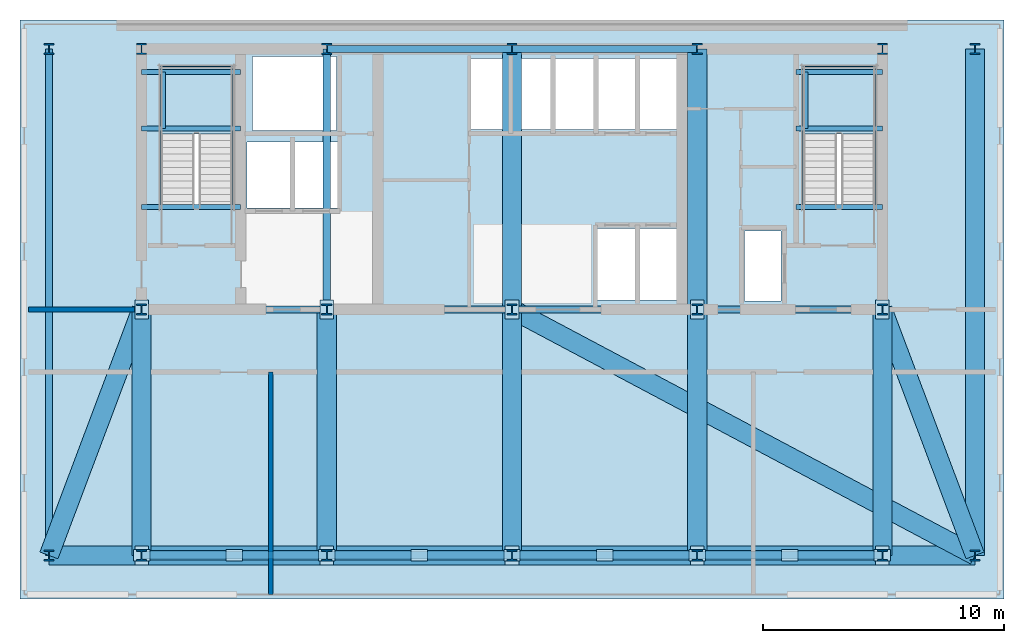
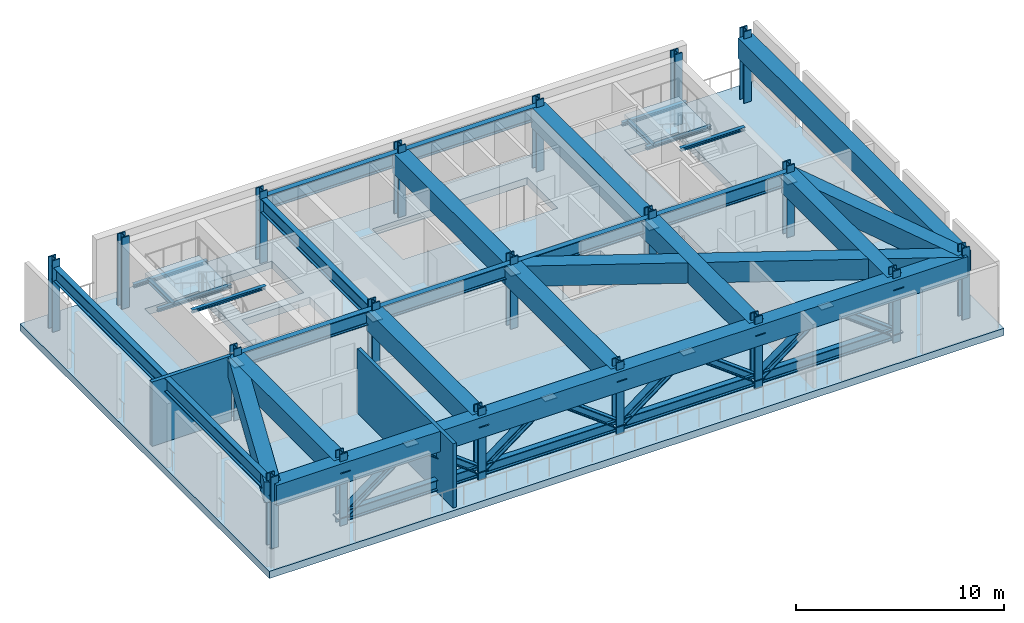
# One storey, part 1 of 8: 28 beams, 19 columns, 19 plates, 12 members, 3 slabs, 2 walls, 2 elements without a shape of their own.
"""IFC4 building model written with IfcOpenShell, lengths in metres."""

import ifcopenshell
import ifcopenshell.guid

model = None  # the IFC model being written
_history = None  # IfcOwnerHistory: only IFC2X3 demands one
_inside = {}  # id of a spatial element -> (the spatial element, [elements in it])
_under = {}  # id of a project, library or spatial element -> (it, [spatial elements below it])
_declared = {}  # id of a project -> (the project, [libraries it declares])
_typed = {}  # id of a type object -> (the type object, [elements of that type])
_made_of = {}  # id of a material, layer set ... -> (it, [elements and type objects made of it])


def new_model(schema):
    """Start an empty IFC model of exactly this schema.

    Asked for "IFC4X3", IfcOpenShell would pick the latest addendum, in which some entities
    have other attributes; the version numbers below select the first issue.
    IFC2X3 requires an IfcOwnerHistory on every rooted entity: one is made here for all.
    """
    global model, _history
    if schema == "IFC4X3":
        model = ifcopenshell.file(schema_version=(4, 3, 0, 0))
    else:
        model = ifcopenshell.file(schema=schema)
    _inside.clear()
    _under.clear()
    _declared.clear()
    _typed.clear()
    _made_of.clear()
    _history = None
    if model.schema == "IFC2X3":
        org = make("IfcOrganization", Name="unknown")
        user = make(
            "IfcPersonAndOrganization",
            ThePerson=make("IfcPerson", FamilyName="unknown"),
            TheOrganization=org,
        )
        app = make(
            "IfcApplication",
            ApplicationDeveloper=org,
            Version="unknown",
            ApplicationFullName="unknown",
            ApplicationIdentifier="unknown",
        )
        _history = make(
            "IfcOwnerHistory",
            OwningUser=user,
            OwningApplication=app,
            ChangeAction="ADDED",
            CreationDate=0,
        )
    return model


def make(cls, **values):
    """One entity of the class cls with the attributes given. An attribute that is None is left unset."""
    return model.create_entity(
        cls, **{name: value for name, value in values.items() if value is not None}
    )


def rooted(cls, **values):
    """An entity with a GlobalId (a new one), such as an element, a storey or a relation."""
    return make(cls, GlobalId=ifcopenshell.guid.new(), OwnerHistory=_history, **values)


def si_unit(unit_type, name, prefix=None):
    """IfcSIUnit, for example si_unit("LENGTHUNIT", "METRE", prefix="MILLI")."""
    return make("IfcSIUnit", UnitType=unit_type, Prefix=prefix, Name=name)


def assignment(units):
    """IfcUnitAssignment: the units of a project."""
    return None if units is None else make("IfcUnitAssignment", Units=units)


def point(xyz):
    """IfcCartesianPoint."""
    return None if xyz is None else make("IfcCartesianPoint", Coordinates=xyz)


def direction(xyz):
    """IfcDirection."""
    return None if xyz is None else make("IfcDirection", DirectionRatios=xyz)


def frame(location, z_axis=None, x_axis=None):
    """IfcAxis2Placement3D, a coordinate frame: its origin and axes. An axis left out is left unset."""
    return make(
        "IfcAxis2Placement3D",
        Location=point(location),
        Axis=direction(z_axis),
        RefDirection=direction(x_axis),
    )


def frame_2d(location, x_axis=None):
    """IfcAxis2Placement2D, a coordinate frame in the plane: its origin and x axis."""
    return make(
        "IfcAxis2Placement2D", Location=point(location), RefDirection=direction(x_axis)
    )


def origin():
    """The frame at (0, 0, 0) with its axes left unset."""
    return frame((0.0, 0.0, 0.0))


def origin_2d():
    """The frame at (0, 0) in the plane with its x axis left unset."""
    return frame_2d((0.0, 0.0))


def place(relative_to, where):
    """IfcLocalPlacement: puts the frame where relative to a parent placement (None: the world)."""
    return make(
        "IfcLocalPlacement", PlacementRelTo=relative_to, RelativePlacement=where
    )


def context(
    kind, dimensions, precision=None, world=None, true_north=None, identifier=None
):
    """IfcGeometricRepresentationContext, for example the 3D "Model" context."""
    return make(
        "IfcGeometricRepresentationContext",
        ContextIdentifier=identifier,
        ContextType=kind,
        CoordinateSpaceDimension=dimensions,
        Precision=precision,
        WorldCoordinateSystem=world,
        TrueNorth=true_north,
    )


def subcontext(parent, identifier, kind, view, scale=None):
    """IfcGeometricRepresentationSubContext, for example "Body" below "Model"."""
    return make(
        "IfcGeometricRepresentationSubContext",
        ContextIdentifier=identifier,
        ContextType=kind,
        ParentContext=parent,
        TargetScale=scale,
        TargetView=view,
    )


def project(units=None, contexts=None):
    """IfcProject with its units and contexts."""
    return rooted(
        "IfcProject",
        Name="project",
        RepresentationContexts=contexts,
        UnitsInContext=assignment(units),
    )


def spatial(cls, under=None, at=None, **own):
    """A site, building, storey or space (cls), placed at a placement, below another one or the project."""
    s = rooted(cls, ObjectPlacement=at, **own)
    if under is not None:
        _under.setdefault(under.id(), (under, []))[1].append(s)
    return s


def polyline(points):
    """IfcPolyline through the points."""
    return make("IfcPolyline", Points=[point(p) for p in points])


def profile(cls, at=None, kind="AREA", **sizes):
    """A parametric profile (cls). Its sizes go by their IFC names, for example OverallWidth=200.0."""
    return make(cls, ProfileType=kind, Position=at, **sizes)


def rectangle(**sizes):
    """IfcRectangleProfileDef."""
    return profile("IfcRectangleProfileDef", **sizes)


def i_section(**sizes):
    """IfcIShapeProfileDef."""
    return profile("IfcIShapeProfileDef", **sizes)


def outline(outer, holes=None, kind="AREA"):
    """IfcArbitraryClosedProfileDef: a profile drawn as a closed curve; with holes, ...WithVoids."""
    if holes is None:
        return make("IfcArbitraryClosedProfileDef", ProfileType=kind, OuterCurve=outer)
    return make(
        "IfcArbitraryProfileDefWithVoids",
        ProfileType=kind,
        OuterCurve=outer,
        InnerCurves=holes,
    )


def extrude(swept, where, along, depth):
    """IfcExtrudedAreaSolid: the profile swept, set in the frame where, extruded along a direction by depth."""
    return make(
        "IfcExtrudedAreaSolid",
        SweptArea=swept,
        Position=where,
        ExtrudedDirection=direction(along),
        Depth=depth,
    )


def shape(context_of_items, identifier, shape_type, items):
    """IfcShapeRepresentation: the items that make up one representation, for example the "Body"."""
    return make(
        "IfcShapeRepresentation",
        ContextOfItems=context_of_items,
        RepresentationIdentifier=identifier,
        RepresentationType=shape_type,
        Items=items,
    )


def material(Name=None, Category=None):
    """IfcMaterial."""
    return make("IfcMaterial", Name=Name, Category=Category)


def layer(
    of_material, thickness, ventilated=None, Name=None, Category=None, Priority=None
):
    """IfcMaterialLayer: one layer of a wall or slab, of a material (None: an air gap)."""
    return make(
        "IfcMaterialLayer",
        Material=of_material,
        LayerThickness=thickness,
        IsVentilated=ventilated,
        Name=Name,
        Category=Category,
        Priority=Priority,
    )


def layer_set(layers, Name=None):
    """IfcMaterialLayerSet."""
    return make("IfcMaterialLayerSet", MaterialLayers=layers, LayerSetName=Name)


def material_profile(
    of_material, cross_section, Name=None, Category=None, Priority=None
):
    """IfcMaterialProfile: a cross section and its material."""
    return make(
        "IfcMaterialProfile",
        Name=Name,
        Material=of_material,
        Profile=cross_section,
        Priority=Priority,
        Category=Category,
    )


def profile_set(profiles, Name=None, composite=None):
    """IfcMaterialProfileSet."""
    return make(
        "IfcMaterialProfileSet",
        Name=Name,
        MaterialProfiles=profiles,
        CompositeProfile=composite,
    )


def made_of(thing, what):
    """Note that an element or type object is made of a material, layer set ...; save() writes the relation."""
    if what is not None:
        _made_of.setdefault(what.id(), (what, []))[1].append(thing)
    return thing


def type_object(cls, material=None, **own):
    """A type object (cls), such as IfcWallType, which elements share."""
    return made_of(rooted(cls, **own), material)


def element(
    cls,
    number,
    at=None,
    inside=None,
    cuts=None,
    type_object=None,
    material=None,
    context=None,
    identifier="Body",
    shape_type=None,
    held_by="IfcProductDefinitionShape",
    body=None,
    shapes=None,
    **own,
):
    """One element of the class cls, such as IfcWall. Its Tag is "e" and its number.

    at: its placement. inside: the storey or other place that contains it. cuts: it is an
    opening in that element (IfcRelVoidsElement). A single representation is given by context,
    identifier, shape_type and body (its items); several are given by shapes. held_by: the class
    of the entity that holds the representations. save() writes the other relations.
    """
    e = rooted(cls, Tag="e%d" % number, ObjectPlacement=at, **own)
    if body is not None:
        shapes = [shape(context, identifier, shape_type, body)]
    if shapes is not None:
        e.Representation = make(held_by, Representations=shapes)
    if inside is not None:
        _inside.setdefault(inside.id(), (inside, []))[1].append(e)
    if cuts is not None:
        rooted(
            "IfcRelVoidsElement", RelatingBuildingElement=cuts, RelatedOpeningElement=e
        )
    if type_object is not None:
        _typed.setdefault(type_object.id(), (type_object, []))[1].append(e)
    return made_of(e, material)


def aggregate(whole, parts):
    """IfcRelAggregates: a whole, such as a stair, and the parts it consists of."""
    return rooted("IfcRelAggregates", RelatingObject=whole, RelatedObjects=parts)


def save(model, path):
    """Write the relations noted so far, then the file.

    IfcRelAggregates (storeys below a building ...), IfcRelContainedInSpatialStructure (elements
    in a storey), IfcRelDefinesByType, IfcRelAssociatesMaterial and IfcRelDeclares: one each for
    every whole, place, type object, material and project.
    """
    for whole, parts in _under.values():
        aggregate(whole, parts)
    for where, things in _inside.values():
        rooted(
            "IfcRelContainedInSpatialStructure",
            RelatedElements=things,
            RelatingStructure=where,
        )
    for kind, things in _typed.values():
        rooted("IfcRelDefinesByType", RelatedObjects=things, RelatingType=kind)
    for what, things in _made_of.values():
        rooted("IfcRelAssociatesMaterial", RelatedObjects=things, RelatingMaterial=what)
    for by, libraries in _declared.values():
        rooted("IfcRelDeclares", RelatingContext=by, RelatedDefinitions=libraries)
    model.write(path)


model = new_model("IFC4")

# Units and contexts
model_context = context("Model", 3, precision=1e-05, world=origin(), true_north=direction((0.0, 1.0)))
body_context = subcontext(model_context, "Body", "Model", "MODEL_VIEW")
ifc_project = project(units=[si_unit("LENGTHUNIT", "METRE"), si_unit("AREAUNIT", "SQUARE_METRE"), si_unit("VOLUMEUNIT", "CUBIC_METRE"), si_unit("PLANEANGLEUNIT", "RADIAN"), si_unit("MASSUNIT", "GRAM", prefix="KILO")], contexts=[model_context])

# Site, building, storey
site_placement = place(None, origin())
site = spatial("IfcSite", under=ifc_project, at=site_placement, CompositionType="ELEMENT")
building_placement = place(site_placement, origin())
building = spatial("IfcBuilding", under=site, at=building_placement, Name="Yelkora Congress Tower", CompositionType="ELEMENT")
storey_placement = place(building_placement, frame((0.0, 0.0, 200.300048828125)))
storey = spatial("IfcBuildingStorey", under=building, at=storey_placement, Name="L55", CompositionType="ELEMENT", Elevation=200.300048828125)

# Columns
ifc_material_1 = material(Name="Steel S460M", Category="steel")
ifc_material_profile_1 = material_profile(ifc_material_1, i_section(OverallWidth=0.41796875, OverallDepth=0.455078125, WebThickness=0.0419921875, FlangeThickness=0.068115234375, FilletRadius=0.014892578125, at=origin_2d()), Name="HD 400x551")
ifc_profile_set_1 = profile_set([ifc_material_profile_1], Name="Steel S460M")
column_type = type_object("IfcColumnType", Name="COL-HD-551", PredefinedType="COLUMN", material=ifc_profile_set_1)
for number, where, z_axis, x_axis, name in (
    (1, (23.0400390625, 35.39990234375, 0.0), (0.0, 0.0, 1.0), (1.0, 0.0, 0.0), "L55 Mega Column MC-S1"),
    (2, (23.0400390625, 46.199951171875, 0.0), (0.0, 0.0, 1.0), (1.0, 0.0, 0.0), "L55 Mega Column MC-N1"),
    (3, (23.0400390625, 25.199951171875, 0.0), (0.0, 0.0, 1.0), (1.0, 0.0, 0.0), "L55 Mega Column MC-D1"),
    (4, (30.719970703125, 35.39990234375, 0.0), (0.0, 0.0, 1.0), (1.0, 0.0, 0.0), "L55 Mega Column MC-S2"),
    (5, (30.719970703125, 46.199951171875, 0.0), (0.0, 0.0, 1.0), (1.0, 0.0, 0.0), "L55 Mega Column MC-N2"),
    (6, (30.719970703125, 25.199951171875, 0.0), (0.0, 0.0, 1.0), (1.0, 0.0, 0.0), "L55 Mega Column MC-D2"),
    (7, (38.39990234375, 35.39990234375, 0.0), (0.0, 0.0, 1.0), (1.0, 0.0, 0.0), "L55 Mega Column MC-S3"),
    (8, (38.39990234375, 46.199951171875, 0.0), (0.0, 0.0, 1.0), (1.0, 0.0, 0.0), "L55 Mega Column MC-N3"),
    (9, (38.39990234375, 25.199951171875, 0.0), (0.0, 0.0, 1.0), (1.0, 0.0, 0.0), "L55 Mega Column MC-D3"),
    (10, (46.080078125, 35.39990234375, 0.0), (0.0, 0.0, 1.0), (1.0, 0.0, 0.0), "L55 Mega Column MC-S4"),
    (11, (46.080078125, 46.199951171875, 0.0), (0.0, 0.0, 1.0), (1.0, 0.0, 0.0), "L55 Mega Column MC-N4"),
    (12, (46.080078125, 25.199951171875, 0.0), (0.0, 0.0, 1.0), (1.0, 0.0, 0.0), "L55 Mega Column MC-D4"),
    (13, (53.760009765625, 35.39990234375, 0.0), (0.0, 0.0, 1.0), (1.0, 0.0, 0.0), "L55 Mega Column MC-S5"),
    (14, (53.760009765625, 46.199951171875, 0.0), (0.0, 0.0, 1.0), (1.0, 0.0, 0.0), "L55 Mega Column MC-N5"),
    (15, (53.760009765625, 25.199951171875, 0.0), (0.0, 0.0, 1.0), (1.0, 0.0, 0.0), "L55 Mega Column MC-D5"),
    (16, (19.199951171875, 25.199951171875, 0.0), (0.0, 0.0, 1.0), (1.0, 0.0, 0.0), "L55 Mega Column MC-F1"),
    (17, (57.60009765625, 25.199951171875, 0.0), (0.0, 0.0, 1.0), (1.0, 0.0, 0.0), "L55 Mega Column MC-F2"),
    (18, (19.199951171875, 46.199951171875, 0.0), (0.0, 0.0, 1.0), (1.0, 0.0, 0.0), "L55 Mega Column MC-F3"),
    (19, (57.60009765625, 46.199951171875, 0.0), (0.0, 0.0, 1.0), (1.0, 0.0, 0.0), "L55 Mega Column MC-F4"),
):
    element("IfcColumn", number, at=place(storey_placement, frame(where, z_axis=z_axis, x_axis=x_axis)), inside=storey, type_object=column_type, Name=name, PredefinedType="COLUMN", context=body_context, shape_type="SweptSolid", body=[
        extrude(i_section(OverallWidth=0.41796875, OverallDepth=0.455078125, WebThickness=0.0419921875, FlangeThickness=0.068115234375, FilletRadius=0.014892578125, at=origin_2d()), origin(), (0.0, 0.0, 1.0), 4.199951171875),
    ])

# Beams
ifc_material_2 = material(Name="Steel S355J2", Category="steel")
ifc_material_profile_2 = material_profile(ifc_material_2, i_section(OverallWidth=0.199951171875, OverallDepth=0.18994140625, WebThickness=0.006591796875, FlangeThickness=0.010009765625, FilletRadius=0.01806640625, at=origin_2d()), Name="HEA 200")
ifc_profile_set_2 = profile_set([ifc_material_profile_2], Name="Steel S355J2")
beam_type_1 = type_object("IfcBeamType", Name="BM-LAND-HEA200", PredefinedType="BEAM", material=ifc_profile_set_2)
for number, where, z_axis, x_axis, name in (
    (20, (23.0400390625, 42.89990234375, 1.78466796875), (1.0, 0.0, 0.0), (0.0, 1.0, 0.0), "ST-01 L55 Landing Header Beam 1S"),
    (21, (23.0400390625, 45.25, 1.78466796875), (1.0, 0.0, 0.0), (0.0, 1.0, 0.0), "ST-01 L55 Landing Header Beam 1N"),
):
    element("IfcBeam", number, at=place(storey_placement, frame(where, z_axis=z_axis, x_axis=x_axis)), inside=storey, type_object=beam_type_1, Name=name, PredefinedType="BEAM", context=body_context, shape_type="SweptSolid", body=[
        extrude(i_section(OverallWidth=0.199951171875, OverallDepth=0.18994140625, WebThickness=0.006591796875, FlangeThickness=0.010009765625, FilletRadius=0.01806640625, at=origin_2d()), origin(), (0.0, 0.0, 1.0), 4.10986328125),
    ])
beam_1_placement = place(storey_placement, frame((23.93994140625, 42.89990234375, 1.78466796875), z_axis=(0.0, 1.0, 0.0), x_axis=(-1.0, 0.0, 0.0)))
element("IfcBeam", 22, at=beam_1_placement, inside=storey, type_object=beam_type_1, Name="ST-01 L55 Landing Trimmer Beam 1M", PredefinedType="BEAM", context=body_context, shape_type="SweptSolid", body=[
    extrude(i_section(OverallWidth=0.199951171875, OverallDepth=0.18994140625, WebThickness=0.006591796875, FlangeThickness=0.010009765625, FilletRadius=0.01806640625, at=origin_2d()), origin(), (0.0, 0.0, 1.0), 2.35009765625),
])
beam_2_placement = place(storey_placement, frame((23.0400390625, 39.639892578125, 3.6845703125), z_axis=(1.0, 0.0, 0.0), x_axis=(0.0, 1.0, 0.0)))
element("IfcBeam", 23, at=beam_2_placement, inside=storey, type_object=beam_type_1, Name="ST-01 L55 Floor Arrival Stringer Header Beam", PredefinedType="BEAM", context=body_context, shape_type="SweptSolid", body=[
    extrude(i_section(OverallWidth=0.199951171875, OverallDepth=0.18994140625, WebThickness=0.006591796875, FlangeThickness=0.010009765625, FilletRadius=0.01806640625, at=origin_2d()), origin(), (0.0, 0.0, 1.0), 4.10986328125),
])
for number, where, z_axis, x_axis, name in (
    (24, (50.179931640625, 42.89990234375, 1.78466796875), (1.0, 0.0, 0.0), (0.0, 1.0, 0.0), "ST-02 L55 Landing Header Beam 1S"),
    (25, (50.179931640625, 45.25, 1.78466796875), (1.0, 0.0, 0.0), (0.0, 1.0, 0.0), "ST-02 L55 Landing Header Beam 1N"),
):
    element("IfcBeam", number, at=place(storey_placement, frame(where, z_axis=z_axis, x_axis=x_axis)), inside=storey, type_object=beam_type_1, Name=name, PredefinedType="BEAM", context=body_context, shape_type="SweptSolid", body=[
        extrude(i_section(OverallWidth=0.199951171875, OverallDepth=0.18994140625, WebThickness=0.006591796875, FlangeThickness=0.010009765625, FilletRadius=0.01806640625, at=origin_2d()), origin(), (0.0, 0.0, 1.0), 3.580078125),
    ])
beam_3_placement = place(storey_placement, frame((50.580078125, 42.89990234375, 1.78466796875), z_axis=(0.0, 1.0, 0.0), x_axis=(-1.0, 0.0, 0.0)))
element("IfcBeam", 26, at=beam_3_placement, inside=storey, type_object=beam_type_1, Name="ST-02 L55 Landing Trimmer Beam 1M", PredefinedType="BEAM", context=body_context, shape_type="SweptSolid", body=[
    extrude(i_section(OverallWidth=0.199951171875, OverallDepth=0.18994140625, WebThickness=0.006591796875, FlangeThickness=0.010009765625, FilletRadius=0.01806640625, at=origin_2d()), origin(), (0.0, 0.0, 1.0), 2.35009765625),
])
beam_4_placement = place(storey_placement, frame((50.179931640625, 39.639892578125, 3.6845703125), z_axis=(1.0, 0.0, 0.0), x_axis=(0.0, 1.0, 0.0)))
element("IfcBeam", 27, at=beam_4_placement, inside=storey, type_object=beam_type_1, Name="ST-02 L55 Floor Arrival Stringer Header Beam", PredefinedType="BEAM", context=body_context, shape_type="SweptSolid", body=[
    extrude(i_section(OverallWidth=0.199951171875, OverallDepth=0.18994140625, WebThickness=0.006591796875, FlangeThickness=0.010009765625, FilletRadius=0.01806640625, at=origin_2d()), origin(), (0.0, 0.0, 1.0), 3.580078125),
])
ifc_material_profile_3 = material_profile(ifc_material_1, i_section(OverallWidth=0.302978515625, OverallDepth=0.81396484375, WebThickness=0.02099609375, FlangeThickness=0.0400390625, FilletRadius=0.030029296875, at=origin_2d()), Name="HEM 800")
ifc_profile_set_3 = profile_set([ifc_material_profile_3], Name="Steel S460M")
beam_type_2 = type_object("IfcBeamType", Name="BM-XFER-HEM800", PredefinedType="BEAM", material=ifc_profile_set_3)
beam_5_placement = place(storey_placement, frame((30.719970703125, 46.199951171875, 3.373046875), z_axis=(1.0, 0.0, 0.0), x_axis=(0.0, 1.0, 0.0)))
element("IfcBeam", 28, at=beam_5_placement, inside=storey, type_object=beam_type_2, Name="L55 Core North Girder 3", PredefinedType="BEAM", context=body_context, shape_type="SweptSolid", body=[
    extrude(i_section(OverallWidth=0.302978515625, OverallDepth=0.81396484375, WebThickness=0.02099609375, FlangeThickness=0.0400390625, FilletRadius=0.030029296875, at=origin_2d()), origin(), (0.0, 0.0, 1.0), 7.679931640625),
])
beam_6_placement = place(storey_placement, frame((38.39990234375, 46.199951171875, 3.373046875), z_axis=(1.0, 0.0, 0.0), x_axis=(0.0, 1.0, 0.0)))
element("IfcBeam", 29, at=beam_6_placement, inside=storey, type_object=beam_type_2, Name="L55 Core North Girder 4", PredefinedType="BEAM", context=body_context, shape_type="SweptSolid", body=[
    extrude(i_section(OverallWidth=0.302978515625, OverallDepth=0.81396484375, WebThickness=0.02099609375, FlangeThickness=0.0400390625, FilletRadius=0.030029296875, at=origin_2d()), origin(), (0.0, 0.0, 1.0), 7.68017578125),
])
for number, where, z_axis, x_axis, name in (
    (30, (23.0400390625, 35.39990234375, 3.373046875), (1.0, 0.0, 0.0), (0.0, 1.0, 0.0), "L55 Core South Girder 1"),
    (31, (30.719970703125, 35.39990234375, 3.373046875), (1.0, 0.0, 0.0), (0.0, 1.0, 0.0), "L55 Core South Girder 2"),
):
    element("IfcBeam", number, at=place(storey_placement, frame(where, z_axis=z_axis, x_axis=x_axis)), inside=storey, type_object=beam_type_2, Name=name, PredefinedType="BEAM", context=body_context, shape_type="SweptSolid", body=[
        extrude(i_section(OverallWidth=0.302978515625, OverallDepth=0.81396484375, WebThickness=0.02099609375, FlangeThickness=0.0400390625, FilletRadius=0.030029296875, at=origin_2d()), origin(), (0.0, 0.0, 1.0), 7.679931640625),
    ])
beam_7_placement = place(storey_placement, frame((38.39990234375, 35.39990234375, 3.373046875), z_axis=(1.0, 0.0, 0.0), x_axis=(0.0, 1.0, 0.0)))
element("IfcBeam", 32, at=beam_7_placement, inside=storey, type_object=beam_type_2, Name="L55 Core South Girder 3", PredefinedType="BEAM", context=body_context, shape_type="SweptSolid", body=[
    extrude(i_section(OverallWidth=0.302978515625, OverallDepth=0.81396484375, WebThickness=0.02099609375, FlangeThickness=0.0400390625, FilletRadius=0.030029296875, at=origin_2d()), origin(), (0.0, 0.0, 1.0), 7.68017578125),
])
beam_8_placement = place(storey_placement, frame((46.080078125, 35.39990234375, 3.373046875), z_axis=(1.0, 0.0, 0.0), x_axis=(0.0, 1.0, 0.0)))
element("IfcBeam", 33, at=beam_8_placement, inside=storey, type_object=beam_type_2, Name="L55 Core South Girder 4", PredefinedType="BEAM", context=body_context, shape_type="SweptSolid", body=[
    extrude(i_section(OverallWidth=0.302978515625, OverallDepth=0.81396484375, WebThickness=0.02099609375, FlangeThickness=0.0400390625, FilletRadius=0.030029296875, at=origin_2d()), origin(), (0.0, 0.0, 1.0), 7.679931640625),
])
beam_9_placement = place(storey_placement, frame((30.719970703125, 35.39990234375, 3.373046875), z_axis=(0.0, 1.0, 0.0), x_axis=(-1.0, 0.0, 0.0)))
element("IfcBeam", 34, at=beam_9_placement, inside=storey, type_object=beam_type_2, Name="L55 Core Tie Girder MC-S2", PredefinedType="BEAM", context=body_context, shape_type="SweptSolid", body=[
    extrude(i_section(OverallWidth=0.302978515625, OverallDepth=0.81396484375, WebThickness=0.02099609375, FlangeThickness=0.0400390625, FilletRadius=0.030029296875, at=origin_2d()), origin(), (0.0, 0.0, 1.0), 10.800048828125),
])
beam_10_placement = place(storey_placement, frame((19.199951171875, 25.199951171875, 3.373046875), z_axis=(0.0, 1.0, 0.0), x_axis=(-1.0, 0.0, 0.0)))
element("IfcBeam", 35, at=beam_10_placement, inside=storey, type_object=beam_type_2, Name="L55 Neck Flank Girder MC-F1", PredefinedType="BEAM", context=body_context, shape_type="SweptSolid", body=[
    extrude(i_section(OverallWidth=0.302978515625, OverallDepth=0.81396484375, WebThickness=0.02099609375, FlangeThickness=0.0400390625, FilletRadius=0.030029296875, at=origin_2d()), origin(), (0.0, 0.0, 1.0), 21.0),
])
ifc_material_3 = material(Name="Concrete C60/75", Category="concrete")
ifc_material_profile_4 = material_profile(ifc_material_3, rectangle(XDim=0.800048828125, YDim=1.199951171875, at=origin_2d()), Name="RC 800x1200")
ifc_profile_set_4 = profile_set([ifc_material_profile_4], Name="Concrete C60/75")
beam_type_3 = type_object("IfcBeamType", Name="BM-XFER-RC1200", PredefinedType="BEAM", material=ifc_profile_set_4)
for number, where, z_axis, x_axis, name in (
    (36, (23.0400390625, 35.39990234375, 3.179931640625), (0.0, -1.0, 0.0), (1.0, 0.0, 0.0), "L55 Transfer Backspan Girder S01"),
    (37, (30.719970703125, 35.39990234375, 3.179931640625), (0.0, -1.0, 0.0), (1.0, 0.0, 0.0), "L55 Transfer Backspan Girder S02"),
    (38, (38.39990234375, 35.39990234375, 3.179931640625), (0.0, -1.0, 0.0), (1.0, 0.0, 0.0), "L55 Transfer Backspan Girder S03"),
    (39, (46.080078125, 35.39990234375, 3.179931640625), (0.0, -1.0, 0.0), (1.0, 0.0, 0.0), "L55 Transfer Backspan Girder S04"),
    (40, (53.760009765625, 35.39990234375, 3.179931640625), (0.0, -1.0, 0.0), (1.0, 0.0, 0.0), "L55 Transfer Backspan Girder S05"),
):
    element("IfcBeam", number, at=place(storey_placement, frame(where, z_axis=z_axis, x_axis=x_axis)), inside=storey, type_object=beam_type_3, Name=name, PredefinedType="BEAM", context=body_context, shape_type="SweptSolid", body=[
        extrude(rectangle(XDim=0.800048828125, YDim=1.199951171875, at=origin_2d()), origin(), (0.0, 0.0, 1.0), 10.199951171875),
    ])
beam_11_placement = place(storey_placement, frame((53.760009765625, 35.39990234375, 3.179931640625), z_axis=(0.352338299189, -0.935872706582, 0.0), x_axis=(0.935872706582, 0.352338299189, 0.0)))
element("IfcBeam", 41, at=beam_11_placement, inside=storey, type_object=beam_type_3, Name="L55 Transfer Backspan Girder S06", PredefinedType="BEAM", context=body_context, shape_type="SweptSolid", body=[
    extrude(rectangle(XDim=0.800048828125, YDim=1.199951171875, at=origin_2d()), origin(), (0.0, 0.0, 1.0), 10.89892578125),
])
beam_12_placement = place(storey_placement, frame((38.39990234375, 35.39990234375, 3.179931640625), z_axis=(0.883118627261, -0.469149752408, 0.0), x_axis=(0.469149752408, 0.883118627261, 0.0)))
element("IfcBeam", 42, at=beam_12_placement, inside=storey, type_object=beam_type_3, Name="L55 Transfer Backspan Girder S07", PredefinedType="BEAM", context=body_context, shape_type="SweptSolid", body=[
    extrude(rectangle(XDim=0.800048828125, YDim=1.199951171875, at=origin_2d()), origin(), (0.0, 0.0, 1.0), 21.741455078125),
])
for number, where, z_axis, x_axis, name in (
    (43, (38.39990234375, 35.39990234375, 3.179931640625), (0.0, 1.0, 0.0), (-1.0, 0.0, 0.0), "L55 Transfer Backspan Girder N04"),
    (44, (46.080078125, 35.39990234375, 3.179931640625), (0.0, 1.0, 0.0), (-1.0, 0.0, 0.0), "L55 Transfer Backspan Girder N05"),
):
    element("IfcBeam", number, at=place(storey_placement, frame(where, z_axis=z_axis, x_axis=x_axis)), inside=storey, type_object=beam_type_3, Name=name, PredefinedType="BEAM", context=body_context, shape_type="SweptSolid", body=[
        extrude(rectangle(XDim=0.800048828125, YDim=1.199951171875, at=origin_2d()), origin(), (0.0, 0.0, 1.0), 10.800048828125),
    ])
beam_13_placement = place(storey_placement, frame((57.60009765625, 25.199951171875, 3.179931640625), z_axis=(0.0, 1.0, 0.0), x_axis=(-1.0, 0.0, 0.0)))
element("IfcBeam", 45, at=beam_13_placement, inside=storey, type_object=beam_type_3, Name="L55 Transfer Backspan Girder N06", PredefinedType="BEAM", context=body_context, shape_type="SweptSolid", body=[
    extrude(rectangle(XDim=0.800048828125, YDim=1.199951171875, at=origin_2d()), origin(), (0.0, 0.0, 1.0), 21.0),
])
beam_14_placement = place(storey_placement, frame((23.0400390625, 35.39990234375, 3.179931640625), z_axis=(-0.352338299189, -0.935872706582, 0.0), x_axis=(0.935872706582, -0.352338299189, 0.0)))
element("IfcBeam", 46, at=beam_14_placement, inside=storey, type_object=beam_type_3, Name="L55 Transfer Backspan Girder W01", PredefinedType="BEAM", context=body_context, shape_type="SweptSolid", body=[
    extrude(rectangle(XDim=0.800048828125, YDim=1.199951171875, at=origin_2d()), origin(), (0.0, 0.0, 1.0), 10.89892578125),
])
beam_15_placement = place(storey_placement, frame((19.199951171875, 25.199951171875, 3.179931640625), z_axis=(1.0, 0.0, 0.0), x_axis=(0.0, 1.0, 0.0)))
element("IfcBeam", 47, at=beam_15_placement, inside=storey, type_object=beam_type_3, Name="L55 Transfer Backspan Girder E01", PredefinedType="BEAM", context=body_context, shape_type="SweptSolid", body=[
    extrude(rectangle(XDim=0.800048828125, YDim=1.199951171875, at=origin_2d()), origin(), (0.0, 0.0, 1.0), 38.400146484375),
])

# Members
ifc_material_profile_5 = material_profile(ifc_material_1, i_section(OverallWidth=0.40087890625, OverallDepth=0.39892578125, WebThickness=0.02490234375, FlangeThickness=0.03955078125, FilletRadius=0.014892578125, at=origin_2d()), Name="HD 400x314")
ifc_profile_set_5 = profile_set([ifc_material_profile_5], Name="Steel S460M")
member_type_1 = type_object("IfcMemberType", Name="MEM-BRACE-HD314", PredefinedType="BRACE", material=ifc_profile_set_5)
member_1_placement = place(storey_placement, frame((23.0400390625, 25.199951171875, 0.449951171875), z_axis=(0.8, 0.0, 0.6), x_axis=(0.0, 1.0, 0.0)))
element("IfcMember", 48, at=member_1_placement, inside=storey, type_object=member_type_1, Name="N3 L55 Outrigger Belt Diagonal 1A", PredefinedType="BRACE", context=body_context, shape_type="SweptSolid", body=[
    extrude(i_section(OverallWidth=0.40087890625, OverallDepth=0.39892578125, WebThickness=0.02490234375, FlangeThickness=0.03955078125, FilletRadius=0.014892578125, at=origin_2d()), origin(), (0.0, 0.0, 1.0), 4.7998046875),
])
for number, where, z_axis, x_axis, name in (
    (49, (30.719970703125, 25.199951171875, 0.449951171875), (-0.800018310174, 0.0, 0.599975585658), (0.0, -1.0, 0.0), "N3 L55 Outrigger Belt Diagonal 1B"),
    (50, (30.719970703125, 25.199951171875, 0.449951171875), (0.800018310174, 0.0, 0.599975585658), (0.0, 1.0, 0.0), "N3 L55 Outrigger Belt Diagonal 2A"),
):
    element("IfcMember", number, at=place(storey_placement, frame(where, z_axis=z_axis, x_axis=x_axis)), inside=storey, type_object=member_type_1, Name=name, PredefinedType="BRACE", context=body_context, shape_type="SweptSolid", body=[
        extrude(i_section(OverallWidth=0.40087890625, OverallDepth=0.39892578125, WebThickness=0.02490234375, FlangeThickness=0.03955078125, FilletRadius=0.014892578125, at=origin_2d()), origin(), (0.0, 0.0, 1.0), 4.800048828125),
    ])
member_2_placement = place(storey_placement, frame((38.39990234375, 25.199951171875, 0.449951171875), z_axis=(-0.8, 0.0, 0.6), x_axis=(0.0, -1.0, 0.0)))
element("IfcMember", 51, at=member_2_placement, inside=storey, type_object=member_type_1, Name="N3 L55 Outrigger Belt Diagonal 2B", PredefinedType="BRACE", context=body_context, shape_type="SweptSolid", body=[
    extrude(i_section(OverallWidth=0.40087890625, OverallDepth=0.39892578125, WebThickness=0.02490234375, FlangeThickness=0.03955078125, FilletRadius=0.014892578125, at=origin_2d()), origin(), (0.0, 0.0, 1.0), 4.7998046875),
])
for number, where, z_axis, x_axis, name in (
    (52, (38.39990234375, 25.199951171875, 0.449951171875), (0.800018310174, 0.0, 0.599975585658), (0.0, 1.0, 0.0), "N3 L55 Outrigger Belt Diagonal 3A"),
    (53, (46.080078125, 25.199951171875, 0.449951171875), (-0.800018310174, 0.0, 0.599975585658), (0.0, -1.0, 0.0), "N3 L55 Outrigger Belt Diagonal 3B"),
):
    element("IfcMember", number, at=place(storey_placement, frame(where, z_axis=z_axis, x_axis=x_axis)), inside=storey, type_object=member_type_1, Name=name, PredefinedType="BRACE", context=body_context, shape_type="SweptSolid", body=[
        extrude(i_section(OverallWidth=0.40087890625, OverallDepth=0.39892578125, WebThickness=0.02490234375, FlangeThickness=0.03955078125, FilletRadius=0.014892578125, at=origin_2d()), origin(), (0.0, 0.0, 1.0), 4.800048828125),
    ])
member_3_placement = place(storey_placement, frame((46.080078125, 25.199951171875, 0.449951171875), z_axis=(0.8, 0.0, 0.6), x_axis=(0.0, 1.0, 0.0)))
element("IfcMember", 54, at=member_3_placement, inside=storey, type_object=member_type_1, Name="N3 L55 Outrigger Belt Diagonal 4A", PredefinedType="BRACE", context=body_context, shape_type="SweptSolid", body=[
    extrude(i_section(OverallWidth=0.40087890625, OverallDepth=0.39892578125, WebThickness=0.02490234375, FlangeThickness=0.03955078125, FilletRadius=0.014892578125, at=origin_2d()), origin(), (0.0, 0.0, 1.0), 4.7998046875),
])
member_4_placement = place(storey_placement, frame((53.760009765625, 25.199951171875, 0.449951171875), z_axis=(-0.800018310174, 0.0, 0.599975585658), x_axis=(0.0, -1.0, 0.0)))
element("IfcMember", 55, at=member_4_placement, inside=storey, type_object=member_type_1, Name="N3 L55 Outrigger Belt Diagonal 4B", PredefinedType="BRACE", context=body_context, shape_type="SweptSolid", body=[
    extrude(i_section(OverallWidth=0.40087890625, OverallDepth=0.39892578125, WebThickness=0.02490234375, FlangeThickness=0.03955078125, FilletRadius=0.014892578125, at=origin_2d()), origin(), (0.0, 0.0, 1.0), 4.800048828125),
])
ifc_material_profile_6 = material_profile(ifc_material_1, i_section(OverallWidth=0.304931640625, OverallDepth=0.6201171875, WebThickness=0.02099609375, FlangeThickness=0.0400390625, FilletRadius=0.027099609375, at=origin_2d()), Name="HEM 600")
ifc_profile_set_6 = profile_set([ifc_material_profile_6], Name="Steel S460M")
member_type_2 = type_object("IfcMemberType", Name="MEM-CHORD-HEM600", PredefinedType="CHORD", material=ifc_profile_set_6)
for number, where, z_axis, x_axis, name in (
    (56, (23.0400390625, 25.199951171875, 0.449951171875), (1.0, 0.0, 0.0), (0.0, 1.0, 0.0), "N3 L55 Belt Truss Chord 1"),
    (57, (30.719970703125, 25.199951171875, 0.449951171875), (1.0, 0.0, 0.0), (0.0, 1.0, 0.0), "N3 L55 Belt Truss Chord 2"),
):
    element("IfcMember", number, at=place(storey_placement, frame(where, z_axis=z_axis, x_axis=x_axis)), inside=storey, type_object=member_type_2, Name=name, PredefinedType="CHORD", context=body_context, shape_type="SweptSolid", body=[
        extrude(i_section(OverallWidth=0.304931640625, OverallDepth=0.6201171875, WebThickness=0.02099609375, FlangeThickness=0.0400390625, FilletRadius=0.027099609375, at=origin_2d()), origin(), (0.0, 0.0, 1.0), 7.679931640625),
    ])
member_5_placement = place(storey_placement, frame((38.39990234375, 25.199951171875, 0.449951171875), z_axis=(1.0, 0.0, 0.0), x_axis=(0.0, 1.0, 0.0)))
element("IfcMember", 58, at=member_5_placement, inside=storey, type_object=member_type_2, Name="N3 L55 Belt Truss Chord 3", PredefinedType="CHORD", context=body_context, shape_type="SweptSolid", body=[
    extrude(i_section(OverallWidth=0.304931640625, OverallDepth=0.6201171875, WebThickness=0.02099609375, FlangeThickness=0.0400390625, FilletRadius=0.027099609375, at=origin_2d()), origin(), (0.0, 0.0, 1.0), 7.68017578125),
])
member_6_placement = place(storey_placement, frame((46.080078125, 25.199951171875, 0.449951171875), z_axis=(1.0, 0.0, 0.0), x_axis=(0.0, 1.0, 0.0)))
element("IfcMember", 59, at=member_6_placement, inside=storey, type_object=member_type_2, Name="N3 L55 Belt Truss Chord 4", PredefinedType="CHORD", context=body_context, shape_type="SweptSolid", body=[
    extrude(i_section(OverallWidth=0.304931640625, OverallDepth=0.6201171875, WebThickness=0.02099609375, FlangeThickness=0.0400390625, FilletRadius=0.027099609375, at=origin_2d()), origin(), (0.0, 0.0, 1.0), 7.679931640625),
])

# Plates
ifc_layer_1 = layer(ifc_material_2, 0.050048828125)
ifc_layer_set_1 = layer_set([ifc_layer_1], Name="Steel S355J2")
plate_type_1 = type_object("IfcPlateType", Name="PLT-GUSSET-680x480", PredefinedType="USERDEFINED", material=ifc_layer_set_1)
for number, where, z_axis, x_axis, name in (
    (60, (26.8798828125, 25.199951171875, 3.3046875), (0.0, 0.0, 1.0), (1.0, 0.0, 0.0), "N3 L55 Belt Truss Apex Gusset Plate 1"),
    (61, (23.0400390625, 25.199951171875, 0.4248046875), (0.0, 0.0, 1.0), (1.0, 0.0, 0.0), "N3 L55 Belt Truss Foot Gusset Plate 1L"),
    (62, (34.56005859375, 25.199951171875, 3.3046875), (0.0, 0.0, 1.0), (1.0, 0.0, 0.0), "N3 L55 Belt Truss Apex Gusset Plate 2"),
    (63, (30.719970703125, 25.199951171875, 0.4248046875), (0.0, 0.0, 1.0), (1.0, 0.0, 0.0), "N3 L55 Belt Truss Foot Gusset Plate 2L"),
    (64, (42.239990234375, 25.199951171875, 3.3046875), (0.0, 0.0, 1.0), (1.0, 0.0, 0.0), "N3 L55 Belt Truss Apex Gusset Plate 3"),
    (65, (38.39990234375, 25.199951171875, 0.4248046875), (0.0, 0.0, 1.0), (1.0, 0.0, 0.0), "N3 L55 Belt Truss Foot Gusset Plate 3L"),
    (66, (49.919921875, 25.199951171875, 3.3046875), (0.0, 0.0, 1.0), (1.0, 0.0, 0.0), "N3 L55 Belt Truss Apex Gusset Plate 4"),
    (67, (46.080078125, 25.199951171875, 0.4248046875), (0.0, 0.0, 1.0), (1.0, 0.0, 0.0), "N3 L55 Belt Truss Foot Gusset Plate 4L"),
    (68, (53.760009765625, 25.199951171875, 0.4248046875), (0.0, 0.0, 1.0), (1.0, 0.0, 0.0), "N3 L55 Belt Truss Foot Gusset Plate R"),
):
    element("IfcPlate", number, at=place(storey_placement, frame(where, z_axis=z_axis, x_axis=x_axis)), inside=storey, type_object=plate_type_1, Name=name, ObjectType="GUSSET_PLATE", PredefinedType="USERDEFINED", context=body_context, shape_type="SweptSolid", body=[
        extrude(rectangle(XDim=0.679931640625, YDim=0.47998046875, at=origin_2d()), origin(), (0.0, 0.0, 1.0), 0.050048828125),
    ])
ifc_layer_2 = layer(ifc_material_1, 0.06005859375)
ifc_layer_set_2 = layer_set([ifc_layer_2], Name="Steel S460M")
plate_type_2 = type_object("IfcPlateType", Name="PLT-GUSSET-800x560", PredefinedType="USERDEFINED", material=ifc_layer_set_2)
for number, where, z_axis, x_axis, name in (
    (69, (23.0400390625, 35.39990234375, 3.199951171875), (0.0, 0.0, 1.0), (0.0, 1.0, 0.0), "N3 Outrigger End Gusset Plate 1CT"),
    (70, (23.0400390625, 25.199951171875, 3.199951171875), (0.0, 0.0, 1.0), (0.0, 1.0, 0.0), "N3 Outrigger End Gusset Plate 1ST"),
    (71, (30.719970703125, 35.39990234375, 3.199951171875), (0.0, 0.0, 1.0), (0.0, 1.0, 0.0), "N3 Outrigger End Gusset Plate 2CT"),
    (72, (30.719970703125, 25.199951171875, 3.199951171875), (0.0, 0.0, 1.0), (0.0, 1.0, 0.0), "N3 Outrigger End Gusset Plate 2ST"),
    (73, (38.39990234375, 35.39990234375, 3.199951171875), (0.0, 0.0, 1.0), (0.0, 1.0, 0.0), "N3 Outrigger End Gusset Plate 3CT"),
    (74, (38.39990234375, 25.199951171875, 3.199951171875), (0.0, 0.0, 1.0), (0.0, 1.0, 0.0), "N3 Outrigger End Gusset Plate 3ST"),
    (75, (46.080078125, 35.39990234375, 3.199951171875), (0.0, 0.0, 1.0), (0.0, 1.0, 0.0), "N3 Outrigger End Gusset Plate 4CT"),
    (76, (46.080078125, 25.199951171875, 3.199951171875), (0.0, 0.0, 1.0), (0.0, 1.0, 0.0), "N3 Outrigger End Gusset Plate 4ST"),
    (77, (53.760009765625, 35.39990234375, 3.199951171875), (0.0, 0.0, 1.0), (0.0, 1.0, 0.0), "N3 Outrigger End Gusset Plate 5CT"),
    (78, (53.760009765625, 25.199951171875, 3.199951171875), (0.0, 0.0, 1.0), (0.0, 1.0, 0.0), "N3 Outrigger End Gusset Plate 5ST"),
):
    element("IfcPlate", number, at=place(storey_placement, frame(where, z_axis=z_axis, x_axis=x_axis)), inside=storey, type_object=plate_type_2, Name=name, ObjectType="GUSSET_PLATE", PredefinedType="USERDEFINED", context=body_context, shape_type="SweptSolid", body=[
        extrude(rectangle(XDim=0.800048828125, YDim=0.56005859375, at=origin_2d()), origin(), (0.0, 0.0, 1.0), 0.06005859375),
    ])

# Stair, slab
ifc_material_4 = material(Name="Concrete C40/50", Category="concrete")
stair_type = type_object("IfcStairType", Name="STAIR-HT-1420-R24-175", PredefinedType="HALF_TURN_STAIR", material=ifc_material_4)
stair_1_placement = place(storey_placement, origin())
stair_1 = element("IfcStair", 79, at=stair_1_placement, inside=storey, type_object=stair_type, Name="West Core Protected Exit Stair ST-01 (L55)", PredefinedType="HALF_TURN_STAIR")
ifc_layer_3 = layer(ifc_material_4, 0.219970703125)
ifc_layer_set_3 = layer_set([ifc_layer_3], Name="Concrete C40/50")
slab_type_1 = type_object("IfcSlabType", Name="SLAB-LANDING-220", PredefinedType="LANDING", material=ifc_layer_set_3)
slab_1_placement = place(storey_placement, frame((0.0, 0.0, 1.8798828125)))
slab_1 = element("IfcSlab", 80, at=slab_1_placement, type_object=slab_type_1, Name="ST-01 L55 Half Landing 1", PredefinedType="LANDING", context=body_context, shape_type="SweptSolid", body=[
    extrude(outline(polyline([(26.820068359375, 42.679931640625), (26.820068359375, 45.469970703125), (23.820068359375, 45.469970703125), (23.820068359375, 42.679931640625), (26.820068359375, 42.679931640625)])), origin(), (0.0, 0.0, 1.0), 0.219970703125),
])
aggregate(stair_1, [slab_1])

stair_2_placement = place(storey_placement, origin())
stair_2 = element("IfcStair", 81, at=stair_2_placement, inside=storey, type_object=stair_type, Name="East Core Protected Exit Stair ST-02 (L55)", PredefinedType="HALF_TURN_STAIR")
slab_2_placement = place(storey_placement, frame((0.0, 0.0, 1.8798828125)))
slab_2 = element("IfcSlab", 82, at=slab_2_placement, type_object=slab_type_1, Name="ST-02 L55 Half Landing 1", PredefinedType="LANDING", context=body_context, shape_type="SweptSolid", body=[
    extrude(outline(polyline([(53.4599609375, 42.679931640625), (53.4599609375, 45.469970703125), (50.4599609375, 45.469970703125), (50.4599609375, 42.679931640625), (53.4599609375, 42.679931640625)])), origin(), (0.0, 0.0, 1.0), 0.219970703125),
])
aggregate(stair_2, [slab_2])

# Slab
ifc_layer_4 = layer(ifc_material_3, 0.419921875)
ifc_layer_set_4 = layer_set([ifc_layer_4], Name="Concrete C60/75")
slab_type_2 = type_object("IfcSlabType", Name="SLAB-XFER-420", PredefinedType="FLOOR", material=ifc_layer_set_4)
slab_3_placement = place(storey_placement, frame((0.0, 0.0, -0.420166015625)))
element("IfcSlab", 83, at=slab_3_placement, inside=storey, type_object=slab_type_2, Name="L55 Structural Floor Slab", PredefinedType="FLOOR", context=body_context, shape_type="SweptSolid", body=[
    extrude(outline(polyline([(18.0, 23.39990234375), (58.800048828125, 23.39990234375), (58.800048828125, 47.39990234375), (18.0, 47.39990234375), (18.0, 23.39990234375)]), holes=[polyline([(23.820068359375, 39.6298828125), (26.820068359375, 39.6298828125), (26.820068359375, 45.469970703125), (23.820068359375, 45.469970703125), (23.820068359375, 39.6298828125)]), polyline([(50.4599609375, 39.6298828125), (53.4599609375, 39.6298828125), (53.4599609375, 45.469970703125), (50.4599609375, 45.469970703125), (50.4599609375, 39.6298828125)]), polyline([(48.050048828125, 35.75), (49.550048828125, 35.75), (49.550048828125, 38.64990234375), (48.050048828125, 38.64990234375), (48.050048828125, 35.75)]), polyline([(36.64990234375, 42.85009765625), (45.25, 42.85009765625), (45.25, 45.800048828125), (36.64990234375, 45.800048828125), (36.64990234375, 42.85009765625)]), polyline([(41.949951171875, 35.800048828125), (45.25, 35.800048828125), (45.25, 38.75), (41.949951171875, 38.75), (41.949951171875, 35.800048828125)]), polyline([(27.419921875, 39.60009765625), (31.179931640625, 39.60009765625), (31.179931640625, 42.35009765625), (27.419921875, 42.35009765625), (27.419921875, 39.60009765625)]), polyline([(27.64990234375, 42.820068359375), (31.1201171875, 42.820068359375), (31.1201171875, 45.8798828125), (27.64990234375, 45.8798828125), (27.64990234375, 42.820068359375)])]), origin(), (0.0, 0.0, 1.0), 0.420166015625),
])

# Walls
ifc_material_5 = material(Name="Autoclaved aerated concrete blockwork", Category="masonry")
ifc_layer_5 = layer(ifc_material_5, 0.199951171875)
ifc_layer_set_5 = layer_set([ifc_layer_5], Name="Autoclaved aerated concrete blockwork")
wall_type = type_object("IfcWallType", Name="WALL-INT-200-R120", PredefinedType="PARTITIONING", material=ifc_layer_set_5)
wall_1_placement = place(storey_placement, frame((18.35009765625, 35.39990234375, 0.0), z_axis=(0.0, 0.0, 1.0), x_axis=(1.0, 0.0, 0.0)))
element("IfcWall", 84, at=wall_1_placement, inside=storey, type_object=wall_type, Name="L55 Partition Wall 27", PredefinedType="PARTITIONING", context=body_context, shape_type="SweptSolid", body=[
    extrude(rectangle(XDim=4.39990234375, YDim=0.199951171875, at=frame_2d((2.199951171875, 0.0))), origin(), (0.0, 0.0, 1.0), 3.780029296875),
])
wall_2_placement = place(storey_placement, frame((28.39990234375, 23.580078125, 0.0), z_axis=(0.0, 0.0, 1.0), x_axis=(0.0, 1.0, 0.0)))
element("IfcWall", 85, at=wall_2_placement, inside=storey, type_object=wall_type, Name="L55 Partition Wall 29", PredefinedType="PARTITIONING", context=body_context, shape_type="SweptSolid", body=[
    extrude(rectangle(XDim=9.219970703125, YDim=0.199951171875, at=frame_2d((4.60986328125, 0.0))), origin(), (0.0, 0.0, 1.0), 3.780029296875),
])

save(model, "model.ifc")
